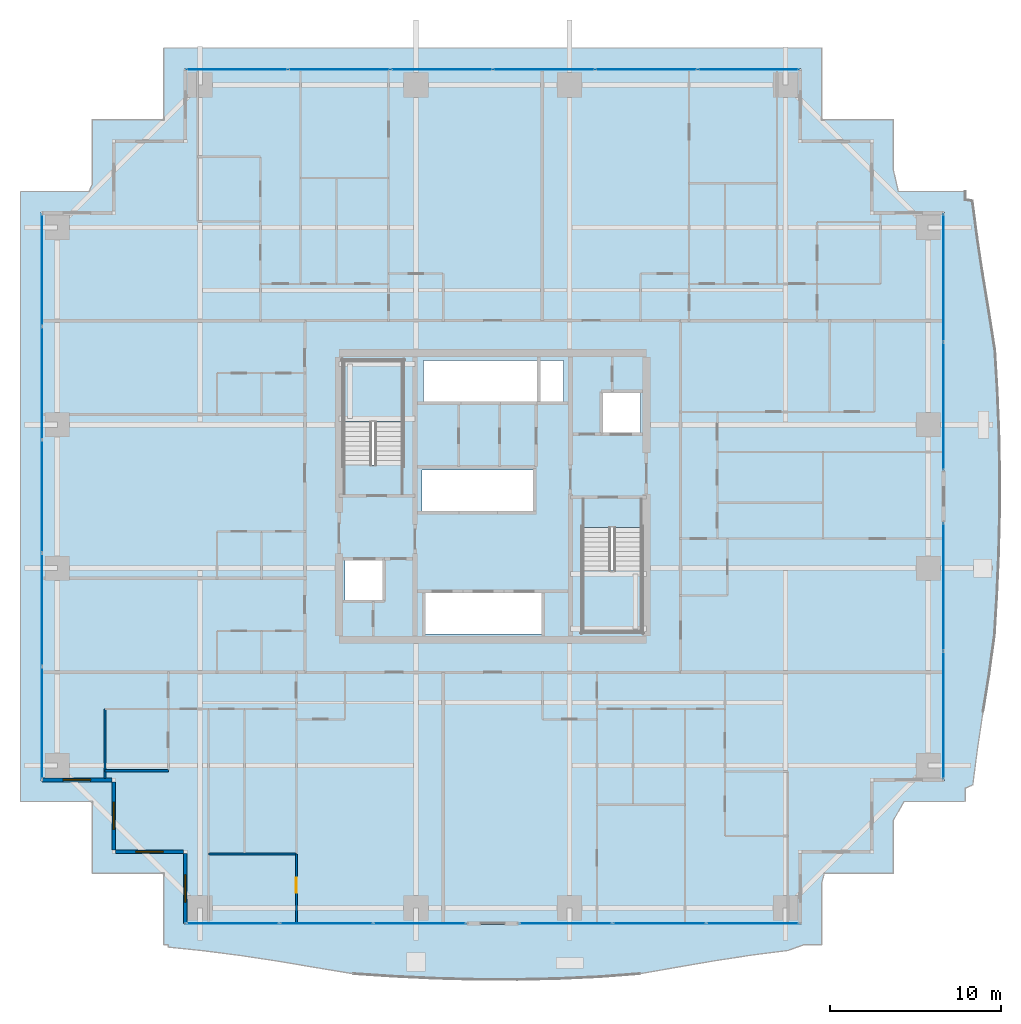
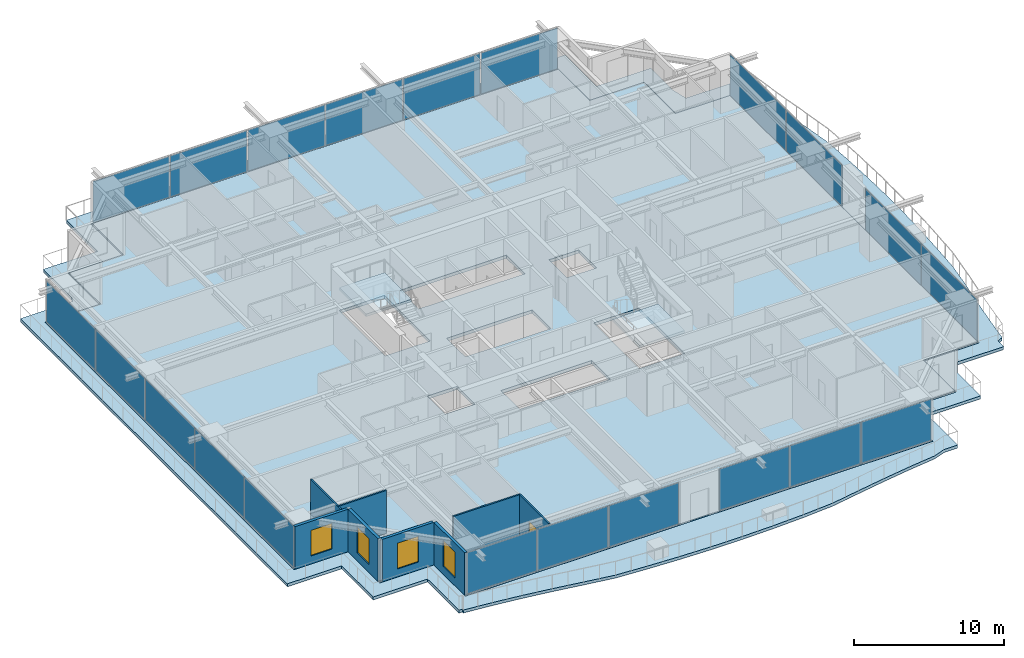
# One storey, part 26 of 39: 21 plates, 8 walls, 4 slabs, 4 windows, 1 door, 5 openings, 8 elements without a shape of their own.
"""IFC4 building model written with IfcOpenShell, lengths in metres."""

from ifc_helpers import new_model, si_unit, direction, frame, frame_2d, origin, origin_2d, place, context, subcontext, project, spatial, polyline, rectangle, outline, extrude, source, transform, mapped, material, layer, layer_set, type_object, element, fill, aggregate, save


model = new_model("IFC4")

# Units and contexts
model_context = context("Model", 3, precision=1e-05, world=origin(), true_north=direction((0.0, 1.0)))
body_context = subcontext(model_context, "Body", "Model", "MODEL_VIEW")
ifc_project = project(units=[si_unit("LENGTHUNIT", "METRE"), si_unit("AREAUNIT", "SQUARE_METRE"), si_unit("VOLUMEUNIT", "CUBIC_METRE"), si_unit("PLANEANGLEUNIT", "RADIAN"), si_unit("MASSUNIT", "GRAM", prefix="KILO")], contexts=[model_context])

# Site, building, storey
site_placement = place(None, origin())
site = spatial("IfcSite", under=ifc_project, at=site_placement, CompositionType="ELEMENT")
building_placement = place(site_placement, origin())
building = spatial("IfcBuilding", under=site, at=building_placement, Name="Serunith Strait Residences", CompositionType="ELEMENT")
storey_placement = place(building_placement, frame((0.0, 0.0, 79.199951171875)))
storey = spatial("IfcBuildingStorey", under=building, at=storey_placement, Name="L19", CompositionType="ELEMENT", Elevation=79.199951171875)

# Slab
ifc_material_1 = material(Name="Concrete C50/60", Category="concrete")
ifc_layer_1 = layer(ifc_material_1, 0.239990234375, Name="Concrete C50/60")
ifc_layer_set_1 = layer_set([ifc_layer_1], Name="Concrete C50/60")
slab_type_1 = type_object("IfcSlabType", Name="SLB-BALC-240", PredefinedType="FLOOR", material=ifc_layer_set_1)
slab_1_placement = place(storey_placement, frame((0.0, 0.0, -0.2900390625)))
element("IfcSlab", 1, at=slab_1_placement, inside=storey, type_object=slab_type_1, Name="L19 Planted Vertical-Forest Balcony Slab", PredefinedType="FLOOR", context=body_context, shape_type="SweptSolid", body=[
    extrude(outline(polyline([(13.139892578125, 3.139892578125), (8.93994140625, 3.139892578125), (8.93994140625, 7.340087890625), (4.739990234375, 7.340087890625), (4.739990234375, 43.06005859375), (8.7587890625, 43.06005859375), (8.93994140625, 43.457763671875), (8.93994140625, 47.260009765625), (13.139892578125, 47.260009765625), (13.139892578125, 51.4599609375), (51.659912109375, 51.4599609375), (51.659912109375, 47.260009765625), (55.860107421875, 47.260009765625), (55.860107421875, 44.310302734375), (56.149169921875, 43.06005859375), (60.06005859375, 43.06005859375), (60.06005859375, 42.573486328125), (60.485595703125, 42.50537109375), (60.763916015625, 40.375732421875), (61.090087890625, 38.222900390625), (61.451904296875, 36.0302734375), (61.806396484375, 33.77685546875), (61.947021484375, 31.4208984375), (62.045166015625, 29.03662109375), (62.0927734375, 26.634033203125), (62.08642578125, 24.225341796875), (62.02783203125, 21.82373046875), (61.923095703125, 19.44091796875), (61.78125, 17.0849609375), (61.469970703125, 14.8125), (61.11181640625, 12.611328125), (60.787109375, 10.450927734375), (60.509033203125, 8.31494140625), (60.06005859375, 8.1083984375), (60.06005859375, 7.340087890625), (56.484130859375, 7.340087890625), (55.860107421875, 6.242431640625), (55.860107421875, 3.139892578125), (51.8154296875, 3.139892578125), (51.659912109375, 2.55126953125), (51.659912109375, -1.06005859375), (50.592041015625, -1.06005859375), (49.696533203125, -1.3828125), (47.572998046875, -1.655029296875), (45.4296875, -1.983154296875), (43.248291015625, -2.356689453125), (41.00830078125, -2.749267578125), (38.654052734375, -2.928955078125), (36.25927734375, -3.038330078125), (33.843017578125, -3.092041015625), (31.41943359375, -3.085693359375), (29.00390625, -3.021240234375), (26.610107421875, -2.906005859375), (24.247802734375, -2.7509765625), (21.993408203125, -2.379638671875), (19.80224609375, -2.00927734375), (17.65087890625, -1.681884765625), (15.521484375, -1.408203125), (13.400146484375, -1.188720703125), (13.401123046875, -1.06005859375), (13.139892578125, -1.06005859375), (13.139892578125, 3.139892578125)]), holes=[polyline([(50.455078125, 0.14501953125), (50.455078125, 4.344970703125), (54.655029296875, 4.344970703125), (54.655029296875, 8.544921875), (58.85498046875, 8.544921875), (58.85498046875, 41.85498046875), (54.655029296875, 41.85498046875), (54.655029296875, 46.054931640625), (50.455078125, 46.054931640625), (50.455078125, 50.2548828125), (14.344970703125, 50.2548828125), (14.344970703125, 46.054931640625), (10.14501953125, 46.054931640625), (10.14501953125, 41.85498046875), (5.945068359375, 41.85498046875), (5.945068359375, 8.544921875), (10.14501953125, 8.544921875), (10.14501953125, 4.344970703125), (14.344970703125, 4.344970703125), (14.344970703125, 0.14501953125), (50.455078125, 0.14501953125)])]), origin(), (0.0, 0.0, 1.0), 0.239990234375),
])

# Stair, slab
stair_type_1 = type_object("IfcStairType", Name="STR-CORE-1", PredefinedType="HALF_TURN_STAIR", material=ifc_material_1)
stair_1_placement = place(storey_placement, origin())
stair_1 = element("IfcStair", 2, at=stair_1_placement, inside=storey, type_object=stair_type_1, Name="L19 Protected Escape Stair ST-1", PredefinedType="HALF_TURN_STAIR")
ifc_layer_2 = layer(ifc_material_1, 0.199951171875, Name="Concrete C50/60")
ifc_layer_set_2 = layer_set([ifc_layer_2], Name="Concrete C50/60")
slab_type_2 = type_object("IfcSlabType", Name="SLB-LAND-200", PredefinedType="LANDING", material=ifc_layer_set_2)
slab_2_placement = place(storey_placement, frame((0.0, 0.0, 1.675048828125)))
slab_2 = element("IfcSlab", 3, at=slab_2_placement, type_object=slab_type_2, Name="ST-1 landing 1", PredefinedType="LANDING", context=body_context, shape_type="SweptSolid", body=[
    extrude(outline(polyline([(27.14990234375, 29.550048828125), (27.14990234375, 33.14990234375), (23.64990234375, 33.14990234375), (23.64990234375, 29.550048828125), (27.14990234375, 29.550048828125)])), origin(), (0.0, 0.0, 1.0), 0.199951171875),
])
aggregate(stair_1, [slab_2])

stair_type_2 = type_object("IfcStairType", Name="STR-CORE-2", PredefinedType="HALF_TURN_STAIR", material=ifc_material_1)
stair_2_placement = place(storey_placement, origin())
stair_2 = element("IfcStair", 4, at=stair_2_placement, inside=storey, type_object=stair_type_2, Name="L19 Protected Escape Stair ST-2", PredefinedType="HALF_TURN_STAIR")
slab_3_placement = place(storey_placement, frame((0.0, 0.0, 1.675048828125)))
slab_3 = element("IfcSlab", 5, at=slab_3_placement, type_object=slab_type_2, Name="ST-2 landing 1", PredefinedType="LANDING", context=body_context, shape_type="SweptSolid", body=[
    extrude(outline(polyline([(37.64990234375, 20.85009765625), (37.64990234375, 17.25), (41.14990234375, 17.25), (41.14990234375, 20.85009765625), (37.64990234375, 20.85009765625)])), origin(), (0.0, 0.0, 1.0), 0.199951171875),
])
aggregate(stair_2, [slab_3])

# Slab
ifc_material_2 = material(Name="Concrete C60/75", Category="concrete")
ifc_layer_3 = layer(ifc_material_2, 0.260009765625, Name="Concrete C60/75")
ifc_layer_set_3 = layer_set([ifc_layer_3], Name="Concrete C60/75")
slab_type_3 = type_object("IfcSlabType", Name="SLB-TWR-260-Z1", PredefinedType="FLOOR", material=ifc_layer_set_3)
slab_4_placement = place(storey_placement, frame((0.0, 0.0, -0.260009765625)))
element("IfcSlab", 6, at=slab_4_placement, inside=storey, type_object=slab_type_3, Name="L19 Structural Floor Plate", PredefinedType="FLOOR", context=body_context, shape_type="SweptSolid", body=[
    extrude(outline(polyline([(14.39990234375, 4.39990234375), (10.199951171875, 4.39990234375), (10.199951171875, 8.60009765625), (6.0, 8.60009765625), (6.0, 41.800048828125), (10.199951171875, 41.800048828125), (10.199951171875, 46.0), (14.39990234375, 46.0), (14.39990234375, 50.199951171875), (50.39990234375, 50.199951171875), (50.39990234375, 46.0), (54.60009765625, 46.0), (54.60009765625, 41.800048828125), (58.800048828125, 41.800048828125), (58.800048828125, 8.60009765625), (54.60009765625, 8.60009765625), (54.60009765625, 4.39990234375), (50.39990234375, 4.39990234375), (50.39990234375, 0.199951171875), (14.39990234375, 0.199951171875), (14.39990234375, 4.39990234375)]), holes=[polyline([(41.14990234375, 17.25), (41.14990234375, 23.3701171875), (37.64990234375, 23.3701171875), (37.64990234375, 17.25), (41.14990234375, 17.25)]), polyline([(41.050048828125, 31.25), (38.75, 31.25), (38.75, 28.85009765625), (41.050048828125, 28.85009765625), (41.050048828125, 31.25)]), polyline([(36.550048828125, 33.14990234375), (28.35009765625, 33.14990234375), (28.35009765625, 30.64990234375), (36.550048828125, 30.64990234375), (36.550048828125, 33.14990234375)]), polyline([(28.35009765625, 19.64990234375), (28.35009765625, 17.14990234375), (35.35009765625, 17.14990234375), (35.35009765625, 19.64990234375), (28.35009765625, 19.64990234375)]), polyline([(34.85009765625, 26.75), (28.25, 26.75), (28.25, 24.25), (34.85009765625, 24.25), (34.85009765625, 26.75)]), polyline([(23.64990234375, 33.14990234375), (23.64990234375, 27.030029296875), (27.14990234375, 27.030029296875), (27.14990234375, 33.14990234375), (23.64990234375, 33.14990234375)]), polyline([(26.050048828125, 21.550048828125), (23.75, 21.550048828125), (23.75, 19.14990234375), (26.050048828125, 19.14990234375), (26.050048828125, 21.550048828125)])]), origin(), (0.0, 0.0, 1.0), 0.260009765625),
])

# Curtain wall, plates
ifc_material_3 = material(Name="Pale-Champagne Anodised Aluminium", Category="aluminium")
ifc_layer_4 = layer(ifc_material_3, 0.199951171875, Name="Pale-Champagne Anodised Aluminium")
ifc_layer_set_4 = layer_set([ifc_layer_4], Name="Pale-Champagne Anodised Aluminium")
curtain_wall_type = type_object("IfcCurtainWallType", Name="CW-SYS1", PredefinedType="NOTDEFINED", material=ifc_layer_set_4)
curtain_wall_1_placement = place(storey_placement, origin())
curtain_wall_1 = element("IfcCurtainWall", 7, at=curtain_wall_1_placement, inside=storey, type_object=curtain_wall_type, Name="L19 N Unitised Fritted Curtain Wall", PredefinedType="NOTDEFINED")
ifc_material_4 = material(Name="Ceramic-Fritted Low-E Double Glazing 28mm", Category="glass")
ifc_layer_5 = layer(ifc_material_4, 0.028076171875, Name="Ceramic-Fritted Low-E Double Glazing 28mm")
ifc_layer_set_5 = layer_set([ifc_layer_5], Name="Ceramic-Fritted Low-E Double Glazing 28mm")
plate_type = type_object("IfcPlateType", Name="CW-SYS1-PNL", PredefinedType="CURTAIN_PANEL", material=ifc_layer_set_5)
shared_shape_1 = source(origin(), body_context, "Body", "SweptSolid", [
    extrude(rectangle(XDim=5.89501953125, YDim=0.028076171875, at=origin_2d()), origin(), (0.0, 0.0, 1.0), 3.35498046875),
])
plate_1_placement = place(storey_placement, frame((47.382568359375, 50.199951171875, 0.06005859375), z_axis=(0.0, 0.0, 1.0), x_axis=(-1.0, 0.0, 0.0)))
plate_1 = element("IfcPlate", 8, at=plate_1_placement, type_object=plate_type, Name="CW-1 panel 1.1", PredefinedType="CURTAIN_PANEL", context=body_context, shape_type="MappedRepresentation", body=[
    mapped(shared_shape_1, transform((0.0, 0.0, 0.0), scale=1.0)),
])
plate_2_placement = place(storey_placement, frame((17.41748046875, 50.199951171875, 0.06005859375), z_axis=(0.0, 0.0, 1.0), x_axis=(-1.0, 0.0, 0.0)))
plate_2 = element("IfcPlate", 9, at=plate_2_placement, type_object=plate_type, Name="CW-1 panel 6.1", PredefinedType="CURTAIN_PANEL", context=body_context, shape_type="MappedRepresentation", body=[
    mapped(shared_shape_1, transform((0.0, 0.0, 0.0), scale=1.0)),
])
shared_shape_2 = source(origin(), body_context, "Body", "SweptSolid", [
    extrude(rectangle(XDim=5.929931640625, YDim=0.028076171875, at=origin_2d()), origin(), (0.0, 0.0, 1.0), 3.35498046875),
])
plate_3_placement = place(storey_placement, frame((41.39990234375, 50.199951171875, 0.06005859375), z_axis=(0.0, 0.0, 1.0), x_axis=(-1.0, 0.0, 0.0)))
plate_3 = element("IfcPlate", 10, at=plate_3_placement, type_object=plate_type, Name="CW-1 panel 2.1", PredefinedType="CURTAIN_PANEL", context=body_context, shape_type="MappedRepresentation", body=[
    mapped(shared_shape_2, transform((0.0, 0.0, 0.0), scale=1.0)),
])
plate_4_placement = place(storey_placement, frame((35.39990234375, 50.199951171875, 0.06005859375), z_axis=(0.0, 0.0, 1.0), x_axis=(-1.0, 0.0, 0.0)))
plate_4 = element("IfcPlate", 11, at=plate_4_placement, type_object=plate_type, Name="CW-1 panel 3.1", PredefinedType="CURTAIN_PANEL", context=body_context, shape_type="MappedRepresentation", body=[
    mapped(shared_shape_2, transform((0.0, 0.0, 0.0), scale=1.0)),
])
plate_5_placement = place(storey_placement, frame((29.39990234375, 50.199951171875, 0.06005859375), z_axis=(0.0, 0.0, 1.0), x_axis=(-1.0, 0.0, 0.0)))
plate_5 = element("IfcPlate", 12, at=plate_5_placement, type_object=plate_type, Name="CW-1 panel 4.1", PredefinedType="CURTAIN_PANEL", context=body_context, shape_type="MappedRepresentation", body=[
    mapped(shared_shape_2, transform((0.0, 0.0, 0.0), scale=1.0)),
])
plate_6_placement = place(storey_placement, frame((23.39990234375, 50.199951171875, 0.06005859375), z_axis=(0.0, 0.0, 1.0), x_axis=(-1.0, 0.0, 0.0)))
plate_6 = element("IfcPlate", 13, at=plate_6_placement, type_object=plate_type, Name="CW-1 panel 5.1", PredefinedType="CURTAIN_PANEL", context=body_context, shape_type="MappedRepresentation", body=[
    mapped(shared_shape_2, transform((0.0, 0.0, 0.0), scale=1.0)),
])
aggregate(curtain_wall_1, [plate_1, plate_3, plate_4, plate_5, plate_6, plate_2])

curtain_wall_2_placement = place(storey_placement, origin())
curtain_wall_2 = element("IfcCurtainWall", 14, at=curtain_wall_2_placement, inside=storey, type_object=curtain_wall_type, Name="L19 E Unitised Fritted Curtain Wall", PredefinedType="NOTDEFINED")
shared_shape_3 = source(origin(), body_context, "Body", "SweptSolid", [
    extrude(rectangle(XDim=7.445068359375, YDim=0.028076171875, at=origin_2d()), origin(), (0.0, 0.0, 1.0), 3.35498046875),
])
plate_7_placement = place(storey_placement, frame((58.800048828125, 12.392578125, 0.06005859375), z_axis=(0.0, 0.0, 1.0), x_axis=(0.0, 1.0, 0.0)))
plate_7 = element("IfcPlate", 15, at=plate_7_placement, type_object=plate_type, Name="CW-1 panel 1.1", PredefinedType="CURTAIN_PANEL", context=body_context, shape_type="MappedRepresentation", body=[
    mapped(shared_shape_3, transform((0.0, 0.0, 0.0), scale=1.0)),
])
plate_8_placement = place(storey_placement, frame((58.800048828125, 19.907470703125, 0.06005859375), z_axis=(0.0, 0.0, 1.0), x_axis=(0.0, 1.0, 0.0)))
plate_8 = element("IfcPlate", 16, at=plate_8_placement, type_object=plate_type, Name="CW-1 panel 2.1", PredefinedType="CURTAIN_PANEL", context=body_context, shape_type="MappedRepresentation", body=[
    mapped(shared_shape_3, transform((0.0, 0.0, 0.0), scale=1.0)),
])
aggregate(curtain_wall_2, [plate_7, plate_8])

curtain_wall_3_placement = place(storey_placement, origin())
curtain_wall_3 = element("IfcCurtainWall", 17, at=curtain_wall_3_placement, inside=storey, type_object=curtain_wall_type, Name="L19 E Unitised Fritted Curtain Wall", PredefinedType="NOTDEFINED")
plate_9_placement = place(storey_placement, frame((58.800048828125, 30.492431640625, 0.06005859375), z_axis=(0.0, 0.0, 1.0), x_axis=(0.0, 1.0, 0.0)))
plate_9 = element("IfcPlate", 18, at=plate_9_placement, type_object=plate_type, Name="CW-1 panel 1.1", PredefinedType="CURTAIN_PANEL", context=body_context, shape_type="MappedRepresentation", body=[
    mapped(shared_shape_3, transform((0.0, 0.0, 0.0), scale=1.0)),
])
plate_10_placement = place(storey_placement, frame((58.800048828125, 38.007568359375, 0.06005859375), z_axis=(0.0, 0.0, 1.0), x_axis=(0.0, 1.0, 0.0)))
plate_10 = element("IfcPlate", 19, at=plate_10_placement, type_object=plate_type, Name="CW-1 panel 2.1", PredefinedType="CURTAIN_PANEL", context=body_context, shape_type="MappedRepresentation", body=[
    mapped(shared_shape_3, transform((0.0, 0.0, 0.0), scale=1.0)),
])
aggregate(curtain_wall_3, [plate_9, plate_10])

curtain_wall_4_placement = place(storey_placement, origin())
curtain_wall_4 = element("IfcCurtainWall", 20, at=curtain_wall_4_placement, inside=storey, type_object=curtain_wall_type, Name="L19 S Unitised Fritted Curtain Wall", PredefinedType="NOTDEFINED")
shared_shape_4 = source(origin(), body_context, "Body", "SweptSolid", [
    extrude(rectangle(XDim=5.39501953125, YDim=0.028076171875, at=origin_2d()), origin(), (0.0, 0.0, 1.0), 3.35498046875),
])
plate_11_placement = place(storey_placement, frame((17.16748046875, 0.199951171875, 0.06005859375), z_axis=(0.0, 0.0, 1.0), x_axis=(1.0, 0.0, 0.0)))
plate_11 = element("IfcPlate", 21, at=plate_11_placement, type_object=plate_type, Name="CW-1 panel 1.1", PredefinedType="CURTAIN_PANEL", context=body_context, shape_type="MappedRepresentation", body=[
    mapped(shared_shape_4, transform((0.0, 0.0, 0.0), scale=1.0)),
])
plate_12_placement = place(storey_placement, frame((28.132568359375, 0.199951171875, 0.06005859375), z_axis=(0.0, 0.0, 1.0), x_axis=(1.0, 0.0, 0.0)))
plate_12 = element("IfcPlate", 22, at=plate_12_placement, type_object=plate_type, Name="CW-1 panel 3.1", PredefinedType="CURTAIN_PANEL", context=body_context, shape_type="MappedRepresentation", body=[
    mapped(shared_shape_4, transform((0.0, 0.0, 0.0), scale=1.0)),
])

curtain_wall_5_placement = place(storey_placement, origin())
curtain_wall_5 = element("IfcCurtainWall", 23, at=curtain_wall_5_placement, inside=storey, type_object=curtain_wall_type, Name="L19 S Unitised Fritted Curtain Wall", PredefinedType="NOTDEFINED")
plate_13_placement = place(storey_placement, frame((36.66748046875, 0.199951171875, 0.06005859375), z_axis=(0.0, 0.0, 1.0), x_axis=(1.0, 0.0, 0.0)))
plate_13 = element("IfcPlate", 24, at=plate_13_placement, type_object=plate_type, Name="CW-1 panel 1.1", PredefinedType="CURTAIN_PANEL", context=body_context, shape_type="MappedRepresentation", body=[
    mapped(shared_shape_4, transform((0.0, 0.0, 0.0), scale=1.0)),
])
plate_14_placement = place(storey_placement, frame((47.632568359375, 0.199951171875, 0.06005859375), z_axis=(0.0, 0.0, 1.0), x_axis=(1.0, 0.0, 0.0)))
plate_14 = element("IfcPlate", 25, at=plate_14_placement, type_object=plate_type, Name="CW-1 panel 3.1", PredefinedType="CURTAIN_PANEL", context=body_context, shape_type="MappedRepresentation", body=[
    mapped(shared_shape_4, transform((0.0, 0.0, 0.0), scale=1.0)),
])

# Plate
shared_shape_5 = source(origin(), body_context, "Body", "SweptSolid", [
    extrude(rectangle(XDim=5.429931640625, YDim=0.028076171875, at=origin_2d()), origin(), (0.0, 0.0, 1.0), 3.35498046875),
])
plate_15_placement = place(storey_placement, frame((22.64990234375, 0.199951171875, 0.06005859375), z_axis=(0.0, 0.0, 1.0), x_axis=(1.0, 0.0, 0.0)))
plate_15 = element("IfcPlate", 26, at=plate_15_placement, type_object=plate_type, Name="CW-1 panel 2.1", PredefinedType="CURTAIN_PANEL", context=body_context, shape_type="MappedRepresentation", body=[
    mapped(shared_shape_5, transform((0.0, 0.0, 0.0), scale=1.0)),
])

aggregate(curtain_wall_4, [plate_11, plate_15, plate_12])

plate_16_placement = place(storey_placement, frame((42.14990234375, 0.199951171875, 0.06005859375), z_axis=(0.0, 0.0, 1.0), x_axis=(1.0, 0.0, 0.0)))
plate_16 = element("IfcPlate", 27, at=plate_16_placement, type_object=plate_type, Name="CW-1 panel 2.1", PredefinedType="CURTAIN_PANEL", context=body_context, shape_type="MappedRepresentation", body=[
    mapped(shared_shape_5, transform((0.0, 0.0, 0.0), scale=1.0)),
])

aggregate(curtain_wall_5, [plate_13, plate_16, plate_14])

# Curtain wall, plates
curtain_wall_6_placement = place(storey_placement, origin())
curtain_wall_6 = element("IfcCurtainWall", 28, at=curtain_wall_6_placement, inside=storey, type_object=curtain_wall_type, Name="L19 W Unitised Fritted Curtain Wall", PredefinedType="NOTDEFINED")
shared_shape_6 = source(origin(), body_context, "Body", "SweptSolid", [
    extrude(rectangle(XDim=6.534912109375, YDim=0.028076171875, at=origin_2d()), origin(), (0.0, 0.0, 1.0), 3.35498046875),
])
plate_17_placement = place(storey_placement, frame((6.0, 38.46240234375, 0.06005859375), z_axis=(0.0, 0.0, 1.0), x_axis=(0.0, -1.0, 0.0)))
plate_17 = element("IfcPlate", 29, at=plate_17_placement, type_object=plate_type, Name="CW-1 panel 1.1", PredefinedType="CURTAIN_PANEL", context=body_context, shape_type="MappedRepresentation", body=[
    mapped(shared_shape_6, transform((0.0, 0.0, 0.0), scale=1.0)),
])
plate_18_placement = place(storey_placement, frame((6.0, 11.9375, 0.06005859375), z_axis=(0.0, 0.0, 1.0), x_axis=(0.0, -1.0, 0.0)))
plate_18 = element("IfcPlate", 30, at=plate_18_placement, type_object=plate_type, Name="CW-1 panel 5.1", PredefinedType="CURTAIN_PANEL", context=body_context, shape_type="MappedRepresentation", body=[
    mapped(shared_shape_6, transform((0.0, 0.0, 0.0), scale=1.0)),
])
shared_shape_7 = source(origin(), body_context, "Body", "SweptSolid", [
    extrude(rectangle(XDim=6.570068359375, YDim=0.028076171875, at=origin_2d()), origin(), (0.0, 0.0, 1.0), 3.35498046875),
])
plate_19_placement = place(storey_placement, frame((6.0, 31.840087890625, 0.06005859375), z_axis=(0.0, 0.0, 1.0), x_axis=(0.0, -1.0, 0.0)))
plate_19 = element("IfcPlate", 31, at=plate_19_placement, type_object=plate_type, Name="CW-1 panel 2.1", PredefinedType="CURTAIN_PANEL", context=body_context, shape_type="MappedRepresentation", body=[
    mapped(shared_shape_7, transform((0.0, 0.0, 0.0), scale=1.0)),
])
plate_20_placement = place(storey_placement, frame((6.0, 25.199951171875, 0.06005859375), z_axis=(0.0, 0.0, 1.0), x_axis=(0.0, -1.0, 0.0)))
plate_20 = element("IfcPlate", 32, at=plate_20_placement, type_object=plate_type, Name="CW-1 panel 3.1", PredefinedType="CURTAIN_PANEL", context=body_context, shape_type="MappedRepresentation", body=[
    mapped(shared_shape_7, transform((0.0, 0.0, 0.0), scale=1.0)),
])
plate_21_placement = place(storey_placement, frame((6.0, 18.56005859375, 0.06005859375), z_axis=(0.0, 0.0, 1.0), x_axis=(0.0, -1.0, 0.0)))
plate_21 = element("IfcPlate", 33, at=plate_21_placement, type_object=plate_type, Name="CW-1 panel 4.1", PredefinedType="CURTAIN_PANEL", context=body_context, shape_type="MappedRepresentation", body=[
    mapped(shared_shape_7, transform((0.0, 0.0, 0.0), scale=1.0)),
])
aggregate(curtain_wall_6, [plate_17, plate_19, plate_20, plate_21, plate_18])

# Wall, opening, window
ifc_material_5 = material(Name="Pale-Champagne Aluminium Insulated Panel", Category="aluminium")
ifc_layer_6 = layer(ifc_material_5, 0.219970703125, Name="Pale-Champagne Aluminium Insulated Panel")
ifc_layer_set_6 = layer_set([ifc_layer_6], Name="Pale-Champagne Aluminium Insulated Panel")
wall_type_1 = type_object("IfcWallType", Name="EW-ALUM-220", PredefinedType="ELEMENTEDWALL", material=ifc_layer_set_6)
wall_1_placement = place(storey_placement, frame((6.0, 8.60009765625, 0.0), z_axis=(0.0, 0.0, 1.0), x_axis=(1.0, 0.0, 0.0)))
wall_1 = element("IfcWall", 34, at=wall_1_placement, inside=storey, type_object=wall_type_1, Name="L19 Girih Serrated Corner Wall 17", PredefinedType="ELEMENTEDWALL", context=body_context, shape_type="SweptSolid", body=[
    extrude(rectangle(XDim=4.090087890625, YDim=0.219970703125, at=frame_2d((2.044921875, 0.0))), origin(), (0.0, 0.0, 1.0), 3.47509765625),
])
opening_1_placement = place(wall_1_placement, frame((1.2451171875, 0.0, 0.64990234375)))
opening_1 = element("IfcOpeningElement", 35, at=opening_1_placement, cuts=wall_1, Name="Opening W-02", PredefinedType="OPENING", context=body_context, shape_type="SweptSolid", body=[
    extrude(rectangle(XDim=1.60009765625, YDim=2.10009765625, at=frame_2d((0.800048828125, 1.050048828125))), frame((0.0, 0.1201171875, 0.0), z_axis=(0.0, -1.0, 0.0), x_axis=(1.0, 0.0, 0.0)), (0.0, 0.0, 1.0), 0.239990234375),
])
ifc_material_6 = material(Name="Ceramic-Fritted Operable Aluminium Window Glass", Category="aluminium")
window_type = type_object("IfcWindowType", Name="WIN-C2", PartitioningType="DOUBLE_PANEL_VERTICAL", PredefinedType="WINDOW", material=ifc_material_6)
shared_shape_8 = source(origin(), body_context, "Body", "SweptSolid", [
    extrude(rectangle(XDim=1.60009765625, YDim=2.10009765625, at=frame_2d((0.800048828125, 1.050048828125))), frame((0.0, 0.030029296875, 0.0), z_axis=(0.0, -1.0, 0.0), x_axis=(1.0, 0.0, 0.0)), (0.0, 0.0, 1.0), 0.06005859375),
])
window_1_placement = place(opening_1_placement, origin())
window_1 = element("IfcWindow", 36, at=window_1_placement, inside=storey, type_object=window_type, Name="L19 Corner Operable Fritted Window 17", OverallHeight=2.10009765625, OverallWidth=1.60009765625, PartitioningType="SINGLE_PANEL", PredefinedType="WINDOW", context=body_context, shape_type="MappedRepresentation", body=[
    mapped(shared_shape_8, transform((0.0, 0.0, 0.0), scale=1.0)),
])
fill(opening_1, window_1)

wall_2_placement = place(storey_placement, frame((10.199951171875, 8.489990234375, 0.0), z_axis=(0.0, 0.0, 1.0), x_axis=(0.0, -1.0, 0.0)))
wall_2 = element("IfcWall", 37, at=wall_2_placement, inside=storey, type_object=wall_type_1, Name="L19 Girih Serrated Corner Wall 18", PredefinedType="ELEMENTEDWALL", context=body_context, shape_type="SweptSolid", body=[
    extrude(rectangle(XDim=3.97998046875, YDim=0.219970703125, at=frame_2d((1.989990234375, 0.0))), origin(), (0.0, 0.0, 1.0), 3.47509765625),
])
opening_2_placement = place(wall_2_placement, frame((1.18994140625, 0.0, 0.64990234375)))
opening_2 = element("IfcOpeningElement", 38, at=opening_2_placement, cuts=wall_2, Name="Opening W-02", PredefinedType="OPENING", context=body_context, shape_type="SweptSolid", body=[
    extrude(rectangle(XDim=1.60009765625, YDim=2.10009765625, at=frame_2d((0.800048828125, 1.050048828125))), frame((0.0, 0.1201171875, 0.0), z_axis=(0.0, -1.0, 0.0), x_axis=(1.0, 0.0, 0.0)), (0.0, 0.0, 1.0), 0.239990234375),
])
window_2_placement = place(opening_2_placement, origin())
window_2 = element("IfcWindow", 39, at=window_2_placement, inside=storey, type_object=window_type, Name="L19 Corner Operable Fritted Window 18", OverallHeight=2.10009765625, OverallWidth=1.60009765625, PartitioningType="SINGLE_PANEL", PredefinedType="WINDOW", context=body_context, shape_type="MappedRepresentation", body=[
    mapped(shared_shape_8, transform((0.0, 0.0, 0.0), scale=1.0)),
])
fill(opening_2, window_2)

wall_3_placement = place(storey_placement, frame((10.31005859375, 4.39990234375, 0.0), z_axis=(0.0, 0.0, 1.0), x_axis=(1.0, 0.0, 0.0)))
wall_3 = element("IfcWall", 40, at=wall_3_placement, inside=storey, type_object=wall_type_1, Name="L19 Girih Serrated Corner Wall 19", PredefinedType="ELEMENTEDWALL", context=body_context, shape_type="SweptSolid", body=[
    extrude(rectangle(XDim=3.97998046875, YDim=0.219970703125, at=frame_2d((1.989990234375, 0.0))), origin(), (0.0, 0.0, 1.0), 3.47509765625),
])
opening_3_placement = place(wall_3_placement, frame((1.18994140625, 0.0, 0.64990234375)))
opening_3 = element("IfcOpeningElement", 41, at=opening_3_placement, cuts=wall_3, Name="Opening W-02", PredefinedType="OPENING", context=body_context, shape_type="SweptSolid", body=[
    extrude(rectangle(XDim=1.60009765625, YDim=2.10009765625, at=frame_2d((0.800048828125, 1.050048828125))), frame((0.0, 0.1201171875, 0.0), z_axis=(0.0, -1.0, 0.0), x_axis=(1.0, 0.0, 0.0)), (0.0, 0.0, 1.0), 0.239990234375),
])
window_3_placement = place(opening_3_placement, origin())
window_3 = element("IfcWindow", 42, at=window_3_placement, inside=storey, type_object=window_type, Name="L19 Corner Operable Fritted Window 19", OverallHeight=2.10009765625, OverallWidth=1.60009765625, PartitioningType="SINGLE_PANEL", PredefinedType="WINDOW", context=body_context, shape_type="MappedRepresentation", body=[
    mapped(shared_shape_8, transform((0.0, 0.0, 0.0), scale=1.0)),
])
fill(opening_3, window_3)

wall_4_placement = place(storey_placement, frame((14.39990234375, 4.2900390625, 0.0), z_axis=(0.0, 0.0, 1.0), x_axis=(0.0, -1.0, 0.0)))
wall_4 = element("IfcWall", 43, at=wall_4_placement, inside=storey, type_object=wall_type_1, Name="L19 Girih Serrated Corner Wall 20", PredefinedType="ELEMENTEDWALL", context=body_context, shape_type="SweptSolid", body=[
    extrude(rectangle(XDim=4.090087890625, YDim=0.219970703125, at=frame_2d((2.044921875, 0.0))), origin(), (0.0, 0.0, 1.0), 3.47509765625),
])
opening_4_placement = place(wall_4_placement, frame((1.2451171875, 0.0, 0.64990234375)))
opening_4 = element("IfcOpeningElement", 44, at=opening_4_placement, cuts=wall_4, Name="Opening W-02", PredefinedType="OPENING", context=body_context, shape_type="SweptSolid", body=[
    extrude(rectangle(XDim=1.60009765625, YDim=2.10009765625, at=frame_2d((0.800048828125, 1.050048828125))), frame((0.0, 0.1201171875, 0.0), z_axis=(0.0, -1.0, 0.0), x_axis=(1.0, 0.0, 0.0)), (0.0, 0.0, 1.0), 0.239990234375),
])
window_4_placement = place(opening_4_placement, origin())
window_4 = element("IfcWindow", 45, at=window_4_placement, inside=storey, type_object=window_type, Name="L19 Corner Operable Fritted Window 20", OverallHeight=2.10009765625, OverallWidth=1.60009765625, PartitioningType="SINGLE_PANEL", PredefinedType="WINDOW", context=body_context, shape_type="MappedRepresentation", body=[
    mapped(shared_shape_8, transform((0.0, 0.0, 0.0), scale=1.0)),
])
fill(opening_4, window_4)

# Wall, opening, door
ifc_material_7 = material(Name="Lightweight steel-stud gypsum partition", Category="steel")
ifc_layer_7 = layer(ifc_material_7, 0.1201171875, Name="Lightweight steel-stud gypsum partition")
ifc_layer_set_7 = layer_set([ifc_layer_7], Name="Lightweight steel-stud gypsum partition")
wall_type_2 = type_object("IfcWallType", Name="IW-PART-120", PredefinedType="PARTITIONING", material=ifc_layer_set_7)
wall_5_placement = place(storey_placement, frame((20.89990234375, 0.294921875, 0.0), z_axis=(0.0, 0.0, 1.0), x_axis=(0.0, 1.0, 0.0)))
wall_5 = element("IfcWall", 46, at=wall_5_placement, inside=storey, type_object=wall_type_2, Name="L19 Partition Wall 032", PredefinedType="PARTITIONING", context=body_context, shape_type="SweptSolid", body=[
    extrude(rectangle(XDim=3.963134765625, YDim=0.1201171875, at=frame_2d((1.9814453125, 0.0))), origin(), (0.0, 0.0, 1.0), 3.489990234375),
])
opening_5_placement = place(wall_5_placement, frame((1.68505859375, 0.0, 0.0)))
opening_5 = element("IfcOpeningElement", 47, at=opening_5_placement, cuts=wall_5, Name="Opening D-RM900", PredefinedType="OPENING", context=body_context, shape_type="SweptSolid", body=[
    extrude(rectangle(XDim=0.89990234375, YDim=2.10009765625, at=frame_2d((0.449951171875, 1.050048828125))), frame((0.0, 0.070068359375, 0.0), z_axis=(0.0, -1.0, 0.0), x_axis=(1.0, 0.0, 0.0)), (0.0, 0.0, 1.0), 0.14013671875),
])
ifc_material_8 = material(Name="Engineered timber flush bedroom door", Category="wood")
door_type = type_object("IfcDoorType", Name="ID-ROOM-900", OperationType="NOTDEFINED", PredefinedType="DOOR", material=ifc_material_8)
shared_shape_9 = source(origin(), body_context, "Body", "SweptSolid", [
    extrude(rectangle(XDim=0.89990234375, YDim=2.10009765625, at=frame_2d((0.449951171875, 1.050048828125))), frame((0.0, 0.02490234375, 0.0), z_axis=(0.0, -1.0, 0.0), x_axis=(1.0, 0.0, 0.0)), (0.0, 0.0, 1.0), 0.050048828125),
])
door_placement = place(opening_5_placement, origin())
door = element("IfcDoor", 48, at=door_placement, inside=storey, type_object=door_type, Name="L19 Study 1 1901 Door", OperationType="SINGLE_SWING_RIGHT", OverallHeight=2.10009765625, OverallWidth=0.89990234375, PredefinedType="DOOR", context=body_context, shape_type="MappedRepresentation", body=[
    mapped(shared_shape_9, transform((0.0, 0.0, 0.0), scale=1.0)),
])
fill(opening_5, door)

# Walls
wall_6_placement = place(storey_placement, frame((15.75, 4.258056640625, 0.0), z_axis=(0.0, 0.0, 1.0), x_axis=(1.0, 0.0, 0.0)))
element("IfcWall", 49, at=wall_6_placement, inside=storey, type_object=wall_type_2, Name="L19 Partition Wall 034", PredefinedType="PARTITIONING", context=body_context, shape_type="SweptSolid", body=[
    extrude(rectangle(XDim=5.14990234375, YDim=0.1201171875, at=frame_2d((2.574951171875, 0.0))), origin(), (0.0, 0.0, 1.0), 3.489990234375),
])
wall_7_placement = place(storey_placement, frame((9.699951171875, 9.137939453125, 0.0), z_axis=(0.0, 0.0, 1.0), x_axis=(1.0, 0.0, 0.0)))
element("IfcWall", 50, at=wall_7_placement, inside=storey, type_object=wall_type_2, Name="L19 Partition Wall 040", PredefinedType="PARTITIONING", context=body_context, shape_type="SweptSolid", body=[
    extrude(rectangle(XDim=3.699951171875, YDim=0.1201171875, at=frame_2d((1.85009765625, 0.0))), origin(), (0.0, 0.0, 1.0), 3.489990234375),
])
wall_8_placement = place(storey_placement, frame((9.699951171875, 8.695068359375, 0.0), z_axis=(0.0, 0.0, 1.0), x_axis=(0.0, 1.0, 0.0)))
element("IfcWall", 51, at=wall_8_placement, inside=storey, type_object=wall_type_2, Name="L19 Partition Wall 041", PredefinedType="PARTITIONING", context=body_context, shape_type="SweptSolid", body=[
    extrude(rectangle(XDim=4.054931640625, YDim=0.1201171875, at=frame_2d((2.02734375, 0.0))), origin(), (0.0, 0.0, 1.0), 3.489990234375),
])

save(model, "model.ifc")
